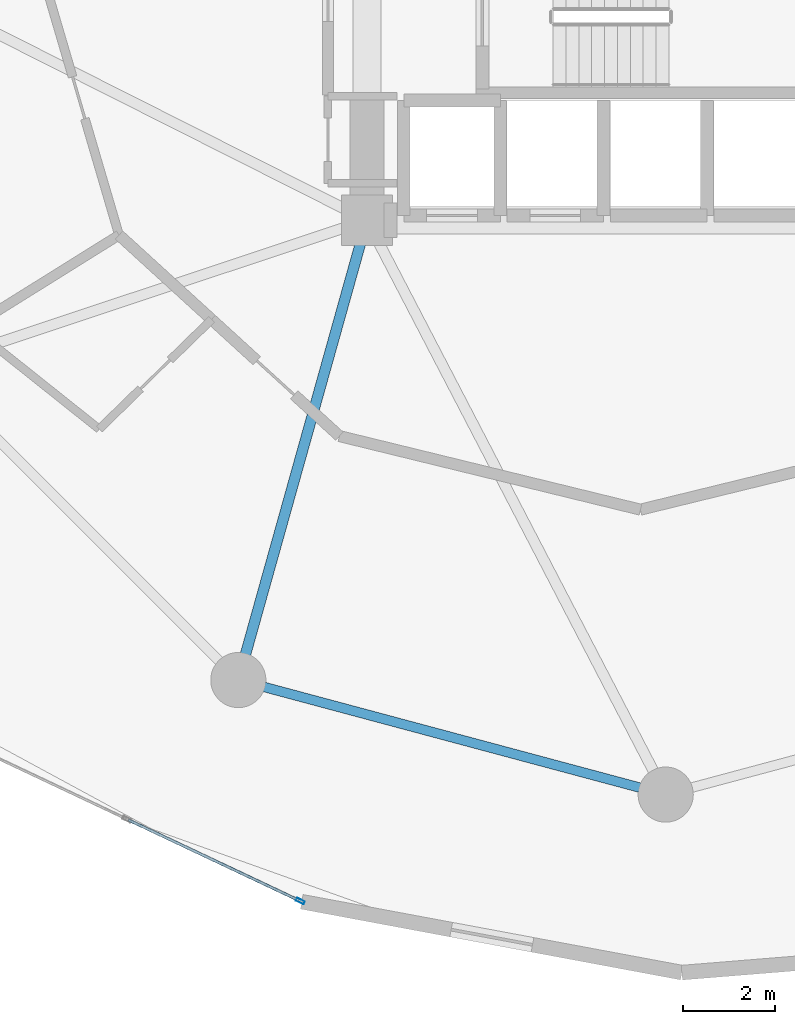
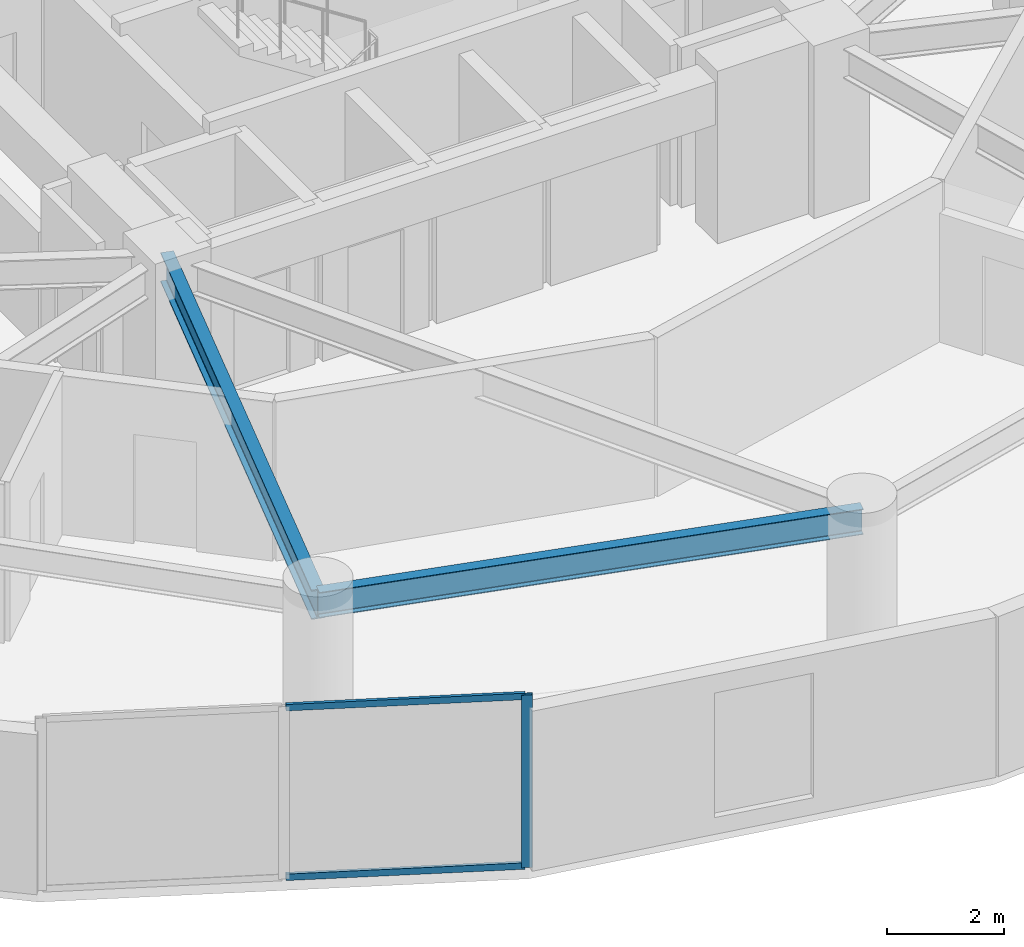
# One storey, part 4 of 26: 3 members, 2 beams, 1 element without a shape of its own.
"""IFC4 building model written with IfcOpenShell, lengths in metres."""

from ifc_helpers import new_model, si_unit, direction, frame, origin, origin_2d, place, context, subcontext, project, spatial, hollow_rectangle, i_section, extrude, source, transform, mapped, material, layer, layer_set, material_profile, profile_set, type_object, element, aggregate, save


model = new_model("IFC4")

# Units and contexts
model_context = context("Model", 3, precision=1e-05, world=origin(), true_north=direction((0.0, 1.0)))
body_context = subcontext(model_context, "Body", "Model", "MODEL_VIEW")
ifc_project = project(units=[si_unit("LENGTHUNIT", "METRE"), si_unit("AREAUNIT", "SQUARE_METRE"), si_unit("VOLUMEUNIT", "CUBIC_METRE"), si_unit("PLANEANGLEUNIT", "RADIAN"), si_unit("MASSUNIT", "GRAM", prefix="KILO")], contexts=[model_context])

# Site, building, storey
site_placement = place(None, origin())
site = spatial("IfcSite", under=ifc_project, at=site_placement, CompositionType="ELEMENT")
building_placement = place(site_placement, origin())
building = spatial("IfcBuilding", under=site, at=building_placement, Name="Solvirekh Grand Hotel", CompositionType="ELEMENT")
storey_placement = place(building_placement, frame((0.0, 0.0, 68.0)))
storey = spatial("IfcBuildingStorey", under=building, at=storey_placement, Name="L16", CompositionType="ELEMENT", Elevation=68.0)

# Beams
ifc_material_1 = material(Name="Steel S355", Category="steel")
ifc_material_profile_1 = material_profile(ifc_material_1, i_section(OverallWidth=0.22998046875, OverallDepth=0.615966796875, WebThickness=0.013916015625, FlangeThickness=0.02392578125, FilletRadius=0.014892578125, at=origin_2d()), Name="W610X174")
ifc_profile_set_1 = profile_set([ifc_material_profile_1], Name="Steel S355")
beam_type_1 = type_object("IfcBeamType", Name="Beam_Primary_W610H", PredefinedType="BEAM", material=ifc_profile_set_1)
beam_1_placement = place(storey_placement, frame((-6.5, -6.10009765625, 3.031982421875), z_axis=(-0.269439084681, -0.963017434757, 0.0), x_axis=(0.963017434757, -0.269439084681, 0.0)))
element("IfcBeam", 1, at=beam_1_placement, inside=storey, type_object=beam_type_1, Name="L16 radial floor beam R09", PredefinedType="BEAM", context=body_context, shape_type="SweptSolid", body=[
    extrude(i_section(OverallWidth=0.22998046875, OverallDepth=0.615966796875, WebThickness=0.013916015625, FlangeThickness=0.02392578125, FilletRadius=0.014892578125, at=origin_2d()), origin(), (0.0, 0.0, 1.0), 10.39208984375),
])
ifc_material_profile_2 = material_profile(ifc_material_1, i_section(OverallWidth=0.208984375, OverallDepth=0.532958984375, WebThickness=0.010009765625, FlangeThickness=0.014892578125, FilletRadius=0.013916015625, at=origin_2d()), Name="W530X92")
ifc_profile_set_2 = profile_set([ifc_material_profile_2], Name="Steel S355")
beam_type_2 = type_object("IfcBeamType", Name="Spandrel_Ring_W530", PredefinedType="SPANDREL", material=ifc_profile_set_2)
beam_2_placement = place(storey_placement, frame((-9.300048828125, -16.10791015625, 3.073974609375), z_axis=(0.965919414426, -0.258842973314, 0.0), x_axis=(0.258842973314, 0.965919414426, 0.0)))
element("IfcBeam", 2, at=beam_2_placement, inside=storey, type_object=beam_type_2, Name="L16 perimeter spandrel beam 9", PredefinedType="SPANDREL", context=body_context, shape_type="SweptSolid", body=[
    extrude(i_section(OverallWidth=0.208984375, OverallDepth=0.532958984375, WebThickness=0.010009765625, FlangeThickness=0.014892578125, FilletRadius=0.013916015625, at=origin_2d()), origin(), (0.0, 0.0, 1.0), 9.628173828125),
])

# Curtain wall, members
ifc_material_2 = material(Name="Anodized Bronze Aluminium 6063-T6", Category="aluminium")
ifc_layer = layer(ifc_material_2, 0.18994140625)
ifc_layer_set = layer_set([ifc_layer], Name="Anodized Bronze Aluminium 6063-T6")
curtain_wall_type = type_object("IfcCurtainWallType", Name="CW_Sys2_LowZoneFlushBronzeCW", PredefinedType="NOTDEFINED", material=ifc_layer_set)
curtain_wall_placement = place(storey_placement, origin())
curtain_wall = element("IfcCurtainWall", 3, at=curtain_wall_placement, inside=storey, type_object=curtain_wall_type, Name="L16 unitised bronze-glass curtain wall CW-L16-C15", PredefinedType="NOTDEFINED")
ifc_material_profile_3 = material_profile(ifc_material_2, hollow_rectangle(XDim=0.070068359375, YDim=0.18994140625, WallThickness=0.0048828125, at=origin_2d()), Name="ALU RHS 190X70X5")
ifc_profile_set_3 = profile_set([ifc_material_profile_3], Name="Anodized Bronze Aluminium 6063-T6")
member_type_1 = type_object("IfcMemberType", Name="CWMullion_Sys2", PredefinedType="MULLION", material=ifc_profile_set_3)
shared_shape_1 = source(origin(), body_context, "Body", "SweptSolid", [
    extrude(hollow_rectangle(XDim=0.070068359375, YDim=0.18994140625, WallThickness=0.0048828125, at=origin_2d()), origin(), (0.0, 0.0, 1.0), 3.60009765625),
])
member_1_placement = place(storey_placement, frame((-7.95068359375, -20.91796875, 0.0), z_axis=(0.0, 0.0, 1.0), x_axis=(0.426941513035, 0.904279240306, 0.0)))
member_1 = element("IfcMember", 4, at=member_1_placement, type_object=member_type_1, Name="U02 mullion 3", PredefinedType="MULLION", context=body_context, shape_type="MappedRepresentation", body=[
    mapped(shared_shape_1, transform((0.0, 0.0, 0.0), x_axis=(1.0, 0.0, 0.0), y_axis=(0.0, 1.0, 0.0), z_axis=(0.0, 0.0, 1.0), scale=1.0)),
])
ifc_material_profile_4 = material_profile(ifc_material_2, hollow_rectangle(XDim=0.06005859375, YDim=0.135009765625, WallThickness=0.00390625, at=origin_2d()), Name="ALU RHS 135X60X4")
ifc_profile_set_4 = profile_set([ifc_material_profile_4], Name="Anodized Bronze Aluminium 6063-T6")
member_type_2 = type_object("IfcMemberType", Name="CWTransom_Sys2", PredefinedType="USERDEFINED", material=ifc_profile_set_4)
shared_shape_2 = source(origin(), body_context, "Body", "SweptSolid", [
    extrude(hollow_rectangle(XDim=0.06005859375, YDim=0.135009765625, WallThickness=0.00390625, at=origin_2d()), origin(), (0.0, 0.0, 1.0), 4.101806640625),
])
member_2_placement = place(storey_placement, frame((-11.69140625, -19.15185546875, 0.030029296875), z_axis=(0.904282478122, -0.426934655142, 0.0), x_axis=(0.426934655142, 0.904282478122, 0.0)))
member_2 = element("IfcMember", 5, at=member_2_placement, type_object=member_type_2, Name="U02 transom 2.1", ObjectType="TRANSOM", PredefinedType="USERDEFINED", context=body_context, shape_type="MappedRepresentation", body=[
    mapped(shared_shape_2, transform((0.0, 0.0, 0.0), x_axis=(1.0, 0.0, 0.0), y_axis=(0.0, 1.0, 0.0), z_axis=(0.0, 0.0, 1.0), scale=1.0)),
])
member_3_placement = place(storey_placement, frame((-11.69140625, -19.15185546875, 3.570068359375), z_axis=(0.904282478122, -0.426934655142, 0.0), x_axis=(0.426934655142, 0.904282478122, 0.0)))
member_3 = element("IfcMember", 6, at=member_3_placement, type_object=member_type_2, Name="U02 transom 2.2", ObjectType="TRANSOM", PredefinedType="USERDEFINED", context=body_context, shape_type="MappedRepresentation", body=[
    mapped(shared_shape_2, transform((0.0, 0.0, 0.0), x_axis=(1.0, 0.0, 0.0), y_axis=(0.0, 1.0, 0.0), z_axis=(0.0, 0.0, 1.0), scale=1.0)),
])
aggregate(curtain_wall, [member_1, member_2, member_3])

save(model, "model.ifc")
